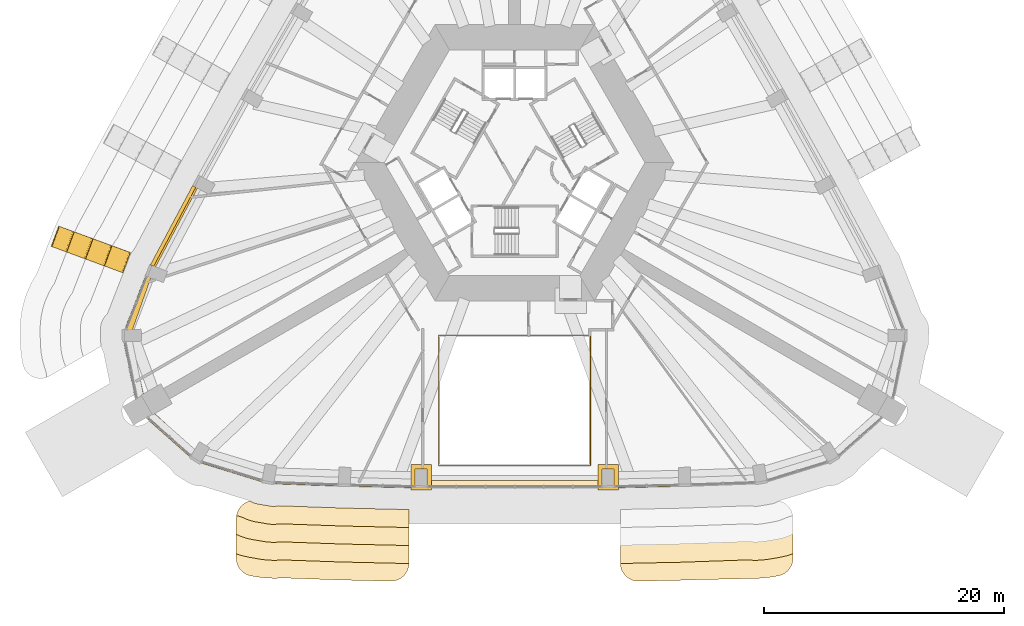
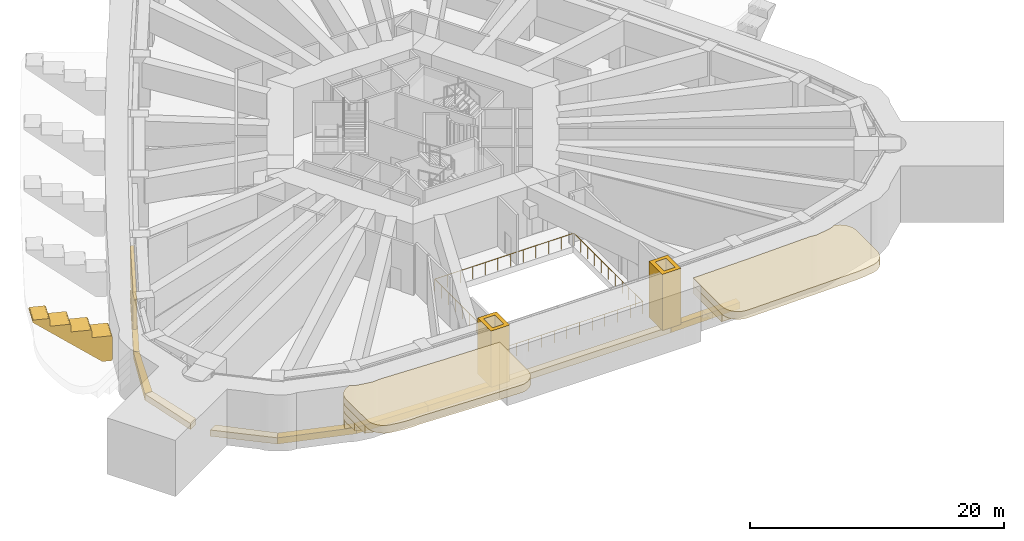
# One storey, part 15 of 21: 18 coverings, 1 railing, 1 shading device.
"""IFC4 building model written with IfcOpenShell, lengths in metres."""

from ifc_helpers import new_model, si_unit, direction, frame, origin, origin_2d, place, context, subcontext, project, spatial, polyline, rectangle, circle, outline, extrude, material, layer, layer_set, type_object, element, save


model = new_model("IFC4")

# Units and contexts
model_context = context("Model", 3, precision=1e-05, world=origin(), true_north=direction((0.0, 1.0)))
body_context = subcontext(model_context, "Body", "Model", "MODEL_VIEW")
ifc_project = project(units=[si_unit("LENGTHUNIT", "METRE"), si_unit("AREAUNIT", "SQUARE_METRE"), si_unit("VOLUMEUNIT", "CUBIC_METRE"), si_unit("PLANEANGLEUNIT", "RADIAN"), si_unit("MASSUNIT", "GRAM", prefix="KILO")], contexts=[model_context])

# Site, building, storey
site_placement = place(None, origin())
site = spatial("IfcSite", under=ifc_project, at=site_placement, CompositionType="ELEMENT")
building_placement = place(site_placement, origin())
building = spatial("IfcBuilding", under=site, at=building_placement, Name="Entoto Arch Interchange Tower", CompositionType="ELEMENT")
storey_placement = place(building_placement, frame((0.0, 0.0, 236.0)))
storey = spatial("IfcBuildingStorey", under=building, at=storey_placement, Name="L53", CompositionType="ELEMENT", Elevation=236.0)

# Railing
ifc_material_1 = material(Name="Stainless steel 1.4301", Category="steel")
railing_type = type_object("IfcRailingType", Name="ATRIUM GUARD 1200 STEEL AND GLASS", PredefinedType="GUARDRAIL", material=ifc_material_1)
railing_placement = place(storey_placement, frame((6.320068359375, -22.72607421875, 0.0)))
element("IfcRailing", 1, at=railing_placement, inside=storey, type_object=railing_type, Name="Atrium guard L53", PredefinedType="GUARDRAIL", context=body_context, shape_type="SweptSolid", body=[
    extrude(circle(Radius=0.02392578125, at=origin_2d()), frame((0.0, 0.0, 1.17578125), z_axis=(-1.0, 0.0, 0.0), x_axis=(0.0, -1.0, 0.0)), (0.0, 0.0, 1.0), 12.64013671875),
    extrude(circle(Radius=0.02392578125, at=origin_2d()), frame((-12.64013671875, 0.0, 1.17578125), z_axis=(0.0, 1.0, 0.0), x_axis=(-1.0, 0.0, 0.0)), (0.0, 0.0, 1.0), 10.84619140625),
    extrude(circle(Radius=0.02392578125, at=origin_2d()), frame((-12.64013671875, 10.84619140625, 1.17578125), z_axis=(1.0, 0.0, 0.0), x_axis=(0.0, 1.0, 0.0)), (0.0, 0.0, 1.0), 12.64013671875),
    extrude(circle(Radius=0.02392578125, at=origin_2d()), frame((0.0, 10.84619140625, 1.17578125), z_axis=(0.0, -1.0, 0.0), x_axis=(1.0, 0.0, 0.0)), (0.0, 0.0, 1.0), 10.84619140625),
    extrude(circle(Radius=0.02099609375, at=origin_2d()), origin(), (0.0, 0.0, 1.0), 1.15185546875),
    extrude(circle(Radius=0.02099609375, at=origin_2d()), frame((-1.149169921875, 0.0, 0.0)), (0.0, 0.0, 1.0), 1.15185546875),
    extrude(circle(Radius=0.02099609375, at=origin_2d()), frame((-2.298095703125, 0.0, 0.0)), (0.0, 0.0, 1.0), 1.15185546875),
    extrude(circle(Radius=0.02099609375, at=origin_2d()), frame((-3.447265625, 0.0, 0.0)), (0.0, 0.0, 1.0), 1.15185546875),
    extrude(circle(Radius=0.02099609375, at=origin_2d()), frame((-4.596435546875, 0.0, 0.0)), (0.0, 0.0, 1.0), 1.15185546875),
    extrude(circle(Radius=0.02099609375, at=origin_2d()), frame((-5.74560546875, 0.0, 0.0)), (0.0, 0.0, 1.0), 1.15185546875),
    extrude(circle(Radius=0.02099609375, at=origin_2d()), frame((-6.89453125, 0.0, 0.0)), (0.0, 0.0, 1.0), 1.15185546875),
    extrude(circle(Radius=0.02099609375, at=origin_2d()), frame((-8.043701171875, 0.0, 0.0)), (0.0, 0.0, 1.0), 1.15185546875),
    extrude(circle(Radius=0.02099609375, at=origin_2d()), frame((-9.19287109375, 0.0, 0.0)), (0.0, 0.0, 1.0), 1.15185546875),
    extrude(circle(Radius=0.02099609375, at=origin_2d()), frame((-10.342041015625, 0.0, 0.0)), (0.0, 0.0, 1.0), 1.15185546875),
    extrude(circle(Radius=0.02099609375, at=origin_2d()), frame((-11.490966796875, 0.0, 0.0)), (0.0, 0.0, 1.0), 1.15185546875),
    extrude(circle(Radius=0.02099609375, at=origin_2d()), frame((-12.64013671875, 0.0, 0.0)), (0.0, 0.0, 1.0), 1.15185546875),
    extrude(circle(Radius=0.02099609375, at=origin_2d()), frame((-12.64013671875, 1.084716796875, 0.0)), (0.0, 0.0, 1.0), 1.15185546875),
    extrude(circle(Radius=0.02099609375, at=origin_2d()), frame((-12.64013671875, 2.169189453125, 0.0)), (0.0, 0.0, 1.0), 1.15185546875),
    extrude(circle(Radius=0.02099609375, at=origin_2d()), frame((-12.64013671875, 3.25390625, 0.0)), (0.0, 0.0, 1.0), 1.15185546875),
    extrude(circle(Radius=0.02099609375, at=origin_2d()), frame((-12.64013671875, 4.33837890625, 0.0)), (0.0, 0.0, 1.0), 1.15185546875),
    extrude(circle(Radius=0.02099609375, at=origin_2d()), frame((-12.64013671875, 5.423095703125, 0.0)), (0.0, 0.0, 1.0), 1.15185546875),
    extrude(circle(Radius=0.02099609375, at=origin_2d()), frame((-12.64013671875, 6.5078125, 0.0)), (0.0, 0.0, 1.0), 1.15185546875),
    extrude(circle(Radius=0.02099609375, at=origin_2d()), frame((-12.64013671875, 7.59228515625, 0.0)), (0.0, 0.0, 1.0), 1.15185546875),
    extrude(circle(Radius=0.02099609375, at=origin_2d()), frame((-12.64013671875, 8.677001953125, 0.0)), (0.0, 0.0, 1.0), 1.15185546875),
    extrude(circle(Radius=0.02099609375, at=origin_2d()), frame((-12.64013671875, 9.761474609375, 0.0)), (0.0, 0.0, 1.0), 1.15185546875),
    extrude(circle(Radius=0.02099609375, at=origin_2d()), frame((-12.64013671875, 10.84619140625, 0.0)), (0.0, 0.0, 1.0), 1.15185546875),
    extrude(circle(Radius=0.02099609375, at=origin_2d()), frame((-11.490966796875, 10.84619140625, 0.0)), (0.0, 0.0, 1.0), 1.15185546875),
    extrude(circle(Radius=0.02099609375, at=origin_2d()), frame((-10.342041015625, 10.84619140625, 0.0)), (0.0, 0.0, 1.0), 1.15185546875),
    extrude(circle(Radius=0.02099609375, at=origin_2d()), frame((-9.19287109375, 10.84619140625, 0.0)), (0.0, 0.0, 1.0), 1.15185546875),
    extrude(circle(Radius=0.02099609375, at=origin_2d()), frame((-8.043701171875, 10.84619140625, 0.0)), (0.0, 0.0, 1.0), 1.15185546875),
    extrude(circle(Radius=0.02099609375, at=origin_2d()), frame((-6.89453125, 10.84619140625, 0.0)), (0.0, 0.0, 1.0), 1.15185546875),
    extrude(circle(Radius=0.02099609375, at=origin_2d()), frame((-5.74560546875, 10.84619140625, 0.0)), (0.0, 0.0, 1.0), 1.15185546875),
    extrude(circle(Radius=0.02099609375, at=origin_2d()), frame((-4.596435546875, 10.84619140625, 0.0)), (0.0, 0.0, 1.0), 1.15185546875),
    extrude(circle(Radius=0.02099609375, at=origin_2d()), frame((-3.447265625, 10.84619140625, 0.0)), (0.0, 0.0, 1.0), 1.15185546875),
    extrude(circle(Radius=0.02099609375, at=origin_2d()), frame((-2.298095703125, 10.84619140625, 0.0)), (0.0, 0.0, 1.0), 1.15185546875),
    extrude(circle(Radius=0.02099609375, at=origin_2d()), frame((-1.149169921875, 10.84619140625, 0.0)), (0.0, 0.0, 1.0), 1.15185546875),
    extrude(circle(Radius=0.02099609375, at=origin_2d()), frame((0.0, 10.84619140625, 0.0)), (0.0, 0.0, 1.0), 1.15185546875),
    extrude(circle(Radius=0.02099609375, at=origin_2d()), frame((0.0, 9.761474609375, 0.0)), (0.0, 0.0, 1.0), 1.15185546875),
    extrude(circle(Radius=0.02099609375, at=origin_2d()), frame((0.0, 8.677001953125, 0.0)), (0.0, 0.0, 1.0), 1.15185546875),
    extrude(circle(Radius=0.02099609375, at=origin_2d()), frame((0.0, 7.59228515625, 0.0)), (0.0, 0.0, 1.0), 1.15185546875),
    extrude(circle(Radius=0.02099609375, at=origin_2d()), frame((0.0, 6.5078125, 0.0)), (0.0, 0.0, 1.0), 1.15185546875),
    extrude(circle(Radius=0.02099609375, at=origin_2d()), frame((0.0, 5.423095703125, 0.0)), (0.0, 0.0, 1.0), 1.15185546875),
    extrude(circle(Radius=0.02099609375, at=origin_2d()), frame((0.0, 4.33837890625, 0.0)), (0.0, 0.0, 1.0), 1.15185546875),
    extrude(circle(Radius=0.02099609375, at=origin_2d()), frame((0.0, 3.25390625, 0.0)), (0.0, 0.0, 1.0), 1.15185546875),
    extrude(circle(Radius=0.02099609375, at=origin_2d()), frame((0.0, 2.169189453125, 0.0)), (0.0, 0.0, 1.0), 1.15185546875),
    extrude(circle(Radius=0.02099609375, at=origin_2d()), frame((0.0, 1.084716796875, 0.0)), (0.0, 0.0, 1.0), 1.15185546875),
])

# Shading device
ifc_material_2 = material(Name="Aluminium, anodised", Category="aluminium")
ifc_layer = layer(ifc_material_2, 0.300048828125)
ifc_layer_set = layer_set([ifc_layer], Name="Aluminium, anodised")
shading_device_type = type_object("IfcShadingDeviceType", Name="PLANT LOUVRE ALUMINIUM", PredefinedType="JALOUSIE", material=ifc_layer_set)
shading_device_placement = place(storey_placement, frame((-28.449951171875, -2.77197265625, 1.2001953125), z_axis=(0.0, 0.0, 1.0), x_axis=(-0.470519135201, -0.882389791084, 0.0)))
element("IfcShadingDevice", 2, at=shading_device_placement, inside=storey, type_object=shading_device_type, Name="Plant louvre NW-05 L53", PredefinedType="JALOUSIE", context=body_context, shape_type="SweptSolid", body=[
    extrude(rectangle(XDim=7.470947265625, YDim=0.300048828125, at=origin_2d()), origin(), (0.0, 0.0, 1.0), 2.800048828125),
])

# Coverings
ifc_material_3 = material(Name="Board-marked precast concrete C50/60", Category="concrete")
covering_type_1 = type_object("IfcCoveringType", Name="PRECAST FRAME COURSE", PredefinedType="CLADDING", material=ifc_material_3)
covering_1_placement = place(storey_placement, frame((0.0, 0.0, 4.050048828125)))
element("IfcCovering", 3, at=covering_1_placement, inside=storey, type_object=covering_type_1, Name="Cantilever cornice L53 1", PredefinedType="CLADDING", context=body_context, shape_type="SweptSolid", body=[
    extrude(outline(polyline([(-8.830078125, -31.152099609375), (-8.865966796875, -31.297119140625), (-8.91796875, -31.43701171875), (-8.98193359375, -31.572021484375), (-9.06005859375, -31.698974609375), (-9.14990234375, -31.818115234375), (-9.251953125, -31.927978515625), (-9.364013671875, -32.027099609375), (-9.485107421875, -32.114013671875), (-9.614013671875, -32.18896484375), (-9.75, -32.25), (-9.89208984375, -32.298095703125), (-10.037109375, -32.33203125), (-10.18505859375, -32.35107421875), (-10.3349609375, -32.35498046875), (-11.218994140625, -32.333984375), (-13.7939453125, -32.27490234375), (-13.80810546875, -32.27392578125), (-13.822998046875, -32.27490234375), (-13.9140625, -32.27587890625), (-13.988037109375, -32.27490234375), (-14.948974609375, -32.242919921875), (-14.950927734375, -32.241943359375), (-19.35595703125, -32.0869140625), (-19.35595703125, -32.0869140625), (-19.39697265625, -32.0849609375), (-19.43896484375, -32.087890625), (-19.799072265625, -32.115966796875), (-19.946044921875, -32.118896484375), (-20.305908203125, -32.111083984375), (-20.56396484375, -32.10498046875), (-20.7109375, -32.094970703125), (-21.2529296875, -32.029052734375), (-21.361083984375, -32.014892578125), (-21.43408203125, -32.0048828125), (-21.946044921875, -31.9169921875), (-22.092041015625, -31.884033203125), (-22.23388671875, -31.8369140625), (-22.37109375, -31.77587890625), (-22.5009765625, -31.700927734375), (-22.623046875, -31.614013671875), (-22.736083984375, -31.514892578125), (-22.837890625, -31.405029296875), (-22.928955078125, -31.285888671875), (-23.008056640625, -31.157958984375), (-23.072998046875, -31.02294921875), (-23.1240234375, -30.882080078125), (-23.160888671875, -30.737060546875), (-23.18408203125, -30.587890625), (-23.19091796875, -30.43798828125), (-23.19091796875, -27.133056640625), (-23.18505859375, -26.990966796875), (-23.1640625, -26.85009765625), (-23.131103515625, -26.7109375), (-23.083984375, -26.576904296875), (-23.02490234375, -26.447021484375), (-22.9541015625, -26.323974609375), (-22.8720703125, -26.20703125), (-22.779052734375, -26.10009765625), (-22.676025390625, -26.0009765625), (-22.56396484375, -25.9130859375), (-22.444091796875, -25.8359375), (-22.318115234375, -25.77001953125), (-22.18603515625, -25.717041015625), (-22.049072265625, -25.676025390625), (-22.033935546875, -25.672119140625), (-22.06298828125, -25.662109375), (-22.028076171875, -25.673095703125), (-22.02197265625, -25.677001953125), (-21.868896484375, -25.762939453125), (-21.70703125, -25.8349609375), (-21.5390625, -25.889892578125), (-21.366943359375, -25.927978515625), (-20.381103515625, -26.097900390625), (-20.2060546875, -26.118896484375), (-20.029052734375, -26.123046875), (-19.85302734375, -26.110107421875), (-19.678955078125, -26.0791015625), (-19.654052734375, -26.072021484375), (-14.748046875, -26.24609375), (-14.74609375, -26.24609375), (-13.7470703125, -26.280029296875), (-13.594970703125, -26.278076171875), (-8.800048828125, -26.387939453125), (-8.800048828125, -26.426025390625), (-8.800048828125, -30.85498046875), (-8.806884765625, -31.00390625), (-8.830078125, -31.152099609375)])), origin(), (0.0, 0.0, 1.0), 0.75),
])
covering_2_placement = place(storey_placement, frame((0.0, 0.0, 4.050048828125)))
element("IfcCovering", 4, at=covering_2_placement, inside=storey, type_object=covering_type_1, Name="Cantilever cornice L53 1", PredefinedType="CLADDING", context=body_context, shape_type="SweptSolid", body=[
    extrude(outline(polyline([(22.318115234375, -25.77001953125), (22.444091796875, -25.8359375), (22.56396484375, -25.9130859375), (22.676025390625, -26.0009765625), (22.779052734375, -26.10009765625), (22.8720703125, -26.20703125), (22.9541015625, -26.323974609375), (23.02490234375, -26.447021484375), (23.083984375, -26.576904296875), (23.131103515625, -26.7109375), (23.1640625, -26.85009765625), (23.18505859375, -26.990966796875), (23.19091796875, -27.133056640625), (23.19091796875, -30.43798828125), (23.18408203125, -30.587890625), (23.160888671875, -30.737060546875), (23.1240234375, -30.882080078125), (23.072998046875, -31.02294921875), (23.008056640625, -31.157958984375), (22.928955078125, -31.285888671875), (22.837890625, -31.405029296875), (22.736083984375, -31.514892578125), (22.623046875, -31.614013671875), (22.5009765625, -31.700927734375), (22.37109375, -31.77587890625), (22.23388671875, -31.8369140625), (22.092041015625, -31.884033203125), (21.946044921875, -31.9169921875), (21.595947265625, -31.97705078125), (21.425048828125, -32.006103515625), (21.3701171875, -32.014892578125), (20.883056640625, -32.080078125), (20.77294921875, -32.091064453125), (20.716064453125, -32.093994140625), (20.281005859375, -32.1201171875), (20.22607421875, -32.1220703125), (18.39111328125, -32.1640625), (14.9560546875, -32.241943359375), (14.951904296875, -32.241943359375), (14.950927734375, -32.241943359375), (14.947998046875, -32.241943359375), (13.9560546875, -32.27587890625), (13.946044921875, -32.277099609375), (13.85498046875, -32.279052734375), (13.844970703125, -32.279052734375), (10.33203125, -32.35400390625), (10.18310546875, -32.34912109375), (10.034912109375, -32.330078125), (9.888916015625, -32.297119140625), (9.748046875, -32.2490234375), (9.612060546875, -32.18701171875), (9.48291015625, -32.112060546875), (9.362060546875, -32.02490234375), (9.2509765625, -31.926025390625), (9.14892578125, -31.81591796875), (9.05908203125, -31.697021484375), (8.98193359375, -31.570068359375), (8.9169921875, -31.43505859375), (8.865966796875, -31.294921875), (8.830078125, -31.15087890625), (8.806884765625, -31.0029296875), (8.800048828125, -30.85400390625), (8.800048828125, -26.422119140625), (8.800048828125, -26.385009765625), (13.722900390625, -26.281005859375), (13.7470703125, -26.280029296875), (14.74609375, -26.24609375), (14.758056640625, -26.2451171875), (19.654052734375, -26.072021484375), (19.678955078125, -26.0791015625), (19.85302734375, -26.110107421875), (20.029052734375, -26.123046875), (20.2060546875, -26.118896484375), (20.381103515625, -26.097900390625), (21.366943359375, -25.927978515625), (21.5390625, -25.889892578125), (21.70703125, -25.8349609375), (21.868896484375, -25.762939453125), (22.02197265625, -25.677001953125), (22.028076171875, -25.673095703125), (22.06298828125, -25.662109375), (22.033935546875, -25.672119140625), (22.049072265625, -25.676025390625), (22.18603515625, -25.717041015625), (22.318115234375, -25.77001953125)])), origin(), (0.0, 0.0, 1.0), 0.75),
])
covering_3_placement = place(storey_placement, frame((0.0, 0.0, 3.300048828125)))
element("IfcCovering", 5, at=covering_3_placement, inside=storey, type_object=covering_type_1, Name="Cantilever cornice L53 2", PredefinedType="CLADDING", context=body_context, shape_type="SweptSolid", body=[
    extrude(outline(polyline([(-13.7548828125, -30.77490234375), (-13.89990234375, -30.777099609375), (-14.89892578125, -30.742919921875), (-14.906982421875, -30.742919921875), (-19.410888671875, -30.583984375), (-19.912109375, -30.6220703125), (-20.530029296875, -30.60693359375), (-21.14404296875, -30.532958984375), (-22.12890625, -30.363037109375), (-22.73291015625, -30.22900390625), (-23.19091796875, -30.077880859375), (-23.19091796875, -27.133056640625), (-23.18505859375, -26.990966796875), (-23.1640625, -26.85009765625), (-23.131103515625, -26.7109375), (-23.083984375, -26.576904296875), (-23.02490234375, -26.447021484375), (-22.9541015625, -26.323974609375), (-22.8720703125, -26.20703125), (-22.779052734375, -26.10009765625), (-22.676025390625, -26.0009765625), (-22.56396484375, -25.9130859375), (-22.444091796875, -25.8359375), (-22.318115234375, -25.77001953125), (-22.18603515625, -25.717041015625), (-22.049072265625, -25.676025390625), (-22.033935546875, -25.672119140625), (-22.06298828125, -25.662109375), (-22.028076171875, -25.673095703125), (-22.02197265625, -25.677001953125), (-21.868896484375, -25.762939453125), (-21.70703125, -25.8349609375), (-21.5390625, -25.889892578125), (-21.366943359375, -25.927978515625), (-20.381103515625, -26.097900390625), (-20.2060546875, -26.118896484375), (-20.029052734375, -26.123046875), (-19.85302734375, -26.110107421875), (-19.678955078125, -26.0791015625), (-19.654052734375, -26.072021484375), (-14.748046875, -26.24609375), (-14.74609375, -26.24609375), (-13.7470703125, -26.280029296875), (-13.594970703125, -26.278076171875), (-8.800048828125, -26.387939453125), (-8.800048828125, -26.426025390625), (-8.800048828125, -30.85498046875), (-8.802001953125, -30.889892578125), (-13.7548828125, -30.77490234375)])), origin(), (0.0, 0.0, 1.0), 0.75),
])
covering_4_placement = place(storey_placement, frame((0.0, 0.0, 3.300048828125)))
element("IfcCovering", 6, at=covering_4_placement, inside=storey, type_object=covering_type_1, Name="Cantilever cornice L53 2", PredefinedType="CLADDING", context=body_context, shape_type="SweptSolid", body=[
    extrude(outline(polyline([(22.318115234375, -25.77001953125), (22.444091796875, -25.8359375), (22.56396484375, -25.9130859375), (22.676025390625, -26.0009765625), (22.779052734375, -26.10009765625), (22.8720703125, -26.20703125), (22.9541015625, -26.323974609375), (23.02490234375, -26.447021484375), (23.083984375, -26.576904296875), (23.131103515625, -26.7109375), (23.1640625, -26.85009765625), (23.18505859375, -26.990966796875), (23.19091796875, -27.133056640625), (23.19091796875, -30.077880859375), (22.73291015625, -30.22900390625), (22.12890625, -30.363037109375), (21.14404296875, -30.532958984375), (20.530029296875, -30.60693359375), (19.912109375, -30.6220703125), (19.409912109375, -30.583984375), (14.910888671875, -30.741943359375), (14.89892578125, -30.742919921875), (13.89990234375, -30.777099609375), (13.818115234375, -30.780029296875), (8.802001953125, -30.885986328125), (8.800048828125, -30.85400390625), (8.800048828125, -26.422119140625), (8.800048828125, -26.385009765625), (13.722900390625, -26.281005859375), (13.7470703125, -26.280029296875), (14.74609375, -26.24609375), (14.758056640625, -26.2451171875), (19.654052734375, -26.072021484375), (19.678955078125, -26.0791015625), (19.85302734375, -26.110107421875), (20.029052734375, -26.123046875), (20.2060546875, -26.118896484375), (20.381103515625, -26.097900390625), (21.366943359375, -25.927978515625), (21.5390625, -25.889892578125), (21.70703125, -25.8349609375), (21.868896484375, -25.762939453125), (22.02197265625, -25.677001953125), (22.028076171875, -25.673095703125), (22.06298828125, -25.662109375), (22.033935546875, -25.672119140625), (22.049072265625, -25.676025390625), (22.18603515625, -25.717041015625), (22.318115234375, -25.77001953125)])), origin(), (0.0, 0.0, 1.0), 0.75),
])
covering_5_placement = place(storey_placement, frame((0.0, 0.0, 2.550048828125)))
element("IfcCovering", 7, at=covering_5_placement, inside=storey, type_object=covering_type_1, Name="Cantilever cornice L53 3", PredefinedType="CLADDING", context=body_context, shape_type="SweptSolid", body=[
    extrude(outline(polyline([(-23.18505859375, -26.990966796875), (-23.1640625, -26.85009765625), (-23.131103515625, -26.7109375), (-23.083984375, -26.576904296875), (-23.02490234375, -26.447021484375), (-22.9541015625, -26.323974609375), (-22.8720703125, -26.20703125), (-22.779052734375, -26.10009765625), (-22.676025390625, -26.0009765625), (-22.56396484375, -25.9130859375), (-22.444091796875, -25.8359375), (-22.318115234375, -25.77001953125), (-22.18603515625, -25.717041015625), (-22.049072265625, -25.676025390625), (-22.033935546875, -25.672119140625), (-22.06298828125, -25.662109375), (-22.028076171875, -25.673095703125), (-22.02197265625, -25.677001953125), (-21.868896484375, -25.762939453125), (-21.70703125, -25.8349609375), (-21.5390625, -25.889892578125), (-21.366943359375, -25.927978515625), (-20.381103515625, -26.097900390625), (-20.2060546875, -26.118896484375), (-20.029052734375, -26.123046875), (-19.85302734375, -26.110107421875), (-19.678955078125, -26.0791015625), (-19.654052734375, -26.072021484375), (-14.748046875, -26.24609375), (-14.74609375, -26.24609375), (-13.7470703125, -26.280029296875), (-13.594970703125, -26.278076171875), (-8.800048828125, -26.387939453125), (-8.800048828125, -26.426025390625), (-8.800048828125, -29.388916015625), (-13.700927734375, -29.27587890625), (-13.84912109375, -29.278076171875), (-14.847900390625, -29.243896484375), (-14.85400390625, -29.243896484375), (-19.450927734375, -29.0810546875), (-19.48095703125, -29.0869140625), (-19.950927734375, -29.1220703125), (-20.422119140625, -29.111083984375), (-20.888916015625, -29.053955078125), (-21.875, -28.885009765625), (-22.3349609375, -28.781982421875), (-22.781982421875, -28.635009765625), (-23.19091796875, -28.455078125), (-23.19091796875, -27.133056640625), (-23.18505859375, -26.990966796875)])), origin(), (0.0, 0.0, 1.0), 0.75),
])
covering_6_placement = place(storey_placement, frame((0.0, 0.0, 1.800048828125)))
element("IfcCovering", 8, at=covering_6_placement, inside=storey, type_object=covering_type_1, Name="Cantilever cornice L53 4", PredefinedType="CLADDING", context=body_context, shape_type="SweptSolid", body=[
    extrude(outline(polyline([(-23.131103515625, -26.7109375), (-23.083984375, -26.576904296875), (-23.02490234375, -26.447021484375), (-22.9541015625, -26.323974609375), (-22.8720703125, -26.20703125), (-22.779052734375, -26.10009765625), (-22.676025390625, -26.0009765625), (-22.56396484375, -25.9130859375), (-22.444091796875, -25.8359375), (-22.318115234375, -25.77001953125), (-22.18603515625, -25.717041015625), (-22.049072265625, -25.676025390625), (-22.033935546875, -25.672119140625), (-22.06298828125, -25.662109375), (-22.028076171875, -25.673095703125), (-22.02197265625, -25.677001953125), (-21.868896484375, -25.762939453125), (-21.70703125, -25.8349609375), (-21.5390625, -25.889892578125), (-21.366943359375, -25.927978515625), (-20.381103515625, -26.097900390625), (-20.2060546875, -26.118896484375), (-20.029052734375, -26.123046875), (-19.85302734375, -26.110107421875), (-19.678955078125, -26.0791015625), (-19.654052734375, -26.072021484375), (-14.748046875, -26.24609375), (-14.74609375, -26.24609375), (-13.7470703125, -26.280029296875), (-13.594970703125, -26.278076171875), (-8.800048828125, -26.387939453125), (-8.800048828125, -26.426025390625), (-8.800048828125, -27.888916015625), (-13.64794921875, -27.777099609375), (-13.798095703125, -27.779052734375), (-14.797119140625, -27.7451171875), (-14.801025390625, -27.7451171875), (-19.547119140625, -27.576904296875), (-19.6669921875, -27.597900390625), (-19.989990234375, -27.623046875), (-20.31396484375, -27.614990234375), (-20.635009765625, -27.575927734375), (-21.62109375, -27.406982421875), (-21.93701171875, -27.3359375), (-22.2451171875, -27.235107421875), (-22.541015625, -27.10400390625), (-22.618896484375, -27.06005859375), (-23.169921875, -26.889892578125), (-23.1640625, -26.85009765625), (-23.131103515625, -26.7109375)])), origin(), (0.0, 0.0, 1.0), 0.75),
])
covering_7_placement = place(storey_placement, frame((-32.7900390625, -4.68505859375, -0.56689453125), z_axis=(0.346991740598, 0.937863803179, 0.002866817717), x_axis=(0.773039181962, -0.284276299726, -0.567095590324)))
element("IfcCovering", 9, at=covering_7_placement, inside=storey, type_object=covering_type_1, Name="Fold rib NW06 L53", PredefinedType="CLADDING", context=body_context, shape_type="SweptSolid", body=[
    extrude(outline(polyline([(0.0, 0.0), (0.028413806940664588, 0.0), (0.05658184505024488, -0.006053987502341714), (0.09529789636443646, -0.025301438322215482), (0.6093963545686709, -0.3804538412674395), (0.6389052317468452, -0.41292436533886845), (0.6564191882471573, -0.45314222239913693), (0.6622778136184104, -0.49719033804918256), (0.6559156501719793, -0.5402373369590107), (0.6362679411115545, -0.5800626530728418), (-0.5543244852413342, -2.3097780582777885), (-0.5735312698636486, -2.331827485249853), (-0.5963947558515681, -2.3501719911932817), (-0.6223724582919854, -2.36370869440343), (-0.6658402074412688, -2.3740901208869376), (-0.7097101467914944, -2.3717478103706715), (-0.7376072873155207, -2.362324667154739), (-0.7633409127474962, -2.3481604156511438), (-1.9943041185204158, -1.5006223145332327), (-2.343539676029139, -2.0068329057938152), (-2.376867693485865, -2.034872788679389), (-2.4030036826246874, -2.048296229003014), (-2.4454388971238847, -2.0593905823489917), (-2.4900637575502453, -2.0565296747050157), (-2.5174835905720876, -2.047430798882033), (-2.543694523506247, -2.0329422799854884), (-3.7997624764989495, -1.1681139721951033), (-4.148651017040235, -1.6745674756241364), (-4.1813824001192295, -1.7030126927508964), (-4.207360102559647, -1.716549395961045), (-4.236302962436626, -1.724779248562392), (-4.279858128653874, -1.7262111396246422), (-4.322594931583183, -1.7151653687123545), (-4.348328557015158, -1.7010011172087587), (-5.60411889643391, -0.8363671391531344), (-5.953831761444818, -1.3422534630207679), (-5.986493741130325, -1.3707472625812183), (-6.012629730269149, -1.3841707029048433), (-6.040659382371587, -1.3930324155204232), (-6.085038873058458, -1.393897127021273), (-6.127298368485582, -1.3831756235019346), (-6.153509301419742, -1.3686871046053901), (-7.0553698966362095, -0.7477393755629751), (-7.087295107752798, -0.7171632826702452), (-7.103071952788779, -0.6929630004361513), (-7.114381203966328, -0.6659078478953906), (-7.119201333505812, -0.635617500643753), (-7.118880759712128, -0.6067879357682573), (-7.111807281774819, -0.5775701416671106), (-7.100812942562985, -0.5501635560360318), (-7.083582343935925, -0.5267529557918604), (-7.062518700193903, -0.5059836352436662), (-7.03699351052808, -0.4894703172663646), (-7.009422753161754, -0.4794056835982352), (-6.980650588191094, -0.47490820609915385), (0.0, 0.0)])), origin(), (0.0, 0.0, -1.0), 1.800048828125),
])
covering_8_placement = place(storey_placement, frame((0.0, 0.0, -0.60009765625)))
element("IfcCovering", 10, at=covering_8_placement, inside=storey, type_object=covering_type_1, Name="Gate pier L53", PredefinedType="CLADDING", context=body_context, shape_type="SweptSolid", body=[
    extrude(outline(polyline([(-8.637939453125, -22.656005859375), (-6.93798828125, -22.656005859375), (-6.93798828125, -24.756103515625), (-8.637939453125, -24.756103515625), (-8.637939453125, -22.656005859375)]), holes=[polyline([(-8.2880859375, -23.006103515625), (-8.2880859375, -24.406005859375), (-7.2880859375, -24.406005859375), (-7.2880859375, -23.006103515625), (-8.2880859375, -23.006103515625)])]), origin(), (0.0, 0.0, 1.0), 5.400146484375),
])
covering_9_placement = place(storey_placement, frame((0.0, 0.0, -0.60009765625)))
element("IfcCovering", 11, at=covering_9_placement, inside=storey, type_object=covering_type_1, Name="Gate pier L53", PredefinedType="CLADDING", context=body_context, shape_type="SweptSolid", body=[
    extrude(outline(polyline([(6.93798828125, -22.656005859375), (8.637939453125, -22.656005859375), (8.637939453125, -24.756103515625), (6.93798828125, -24.756103515625), (6.93798828125, -22.656005859375)]), holes=[polyline([(7.2880859375, -23.006103515625), (7.2880859375, -24.406005859375), (8.2880859375, -24.406005859375), (8.2880859375, -23.006103515625), (7.2880859375, -23.006103515625)])]), origin(), (0.0, 0.0, 1.0), 5.400146484375),
])
covering_type_2 = type_object("IfcCoveringType", Name="PRECAST LEDGE COURSE", PredefinedType="CLADDING", material=ifc_material_3)
covering_10_placement = place(storey_placement, frame((0.0, 0.0, -1.199951171875)))
element("IfcCovering", 12, at=covering_10_placement, inside=storey, type_object=covering_type_2, Name="Precast course S-01 L53", PredefinedType="CLADDING", context=body_context, shape_type="SweptSolid", body=[
    extrude(outline(polyline([(-14.18505859375, -23.830078125), (-14.18505859375, -24.464111328125), (-20.569091796875, -24.239013671875), (-20.569091796875, -23.594970703125), (-14.18505859375, -23.830078125)])), origin(), (0.0, 0.0, 1.0), 0.599853515625),
])
covering_11_placement = place(storey_placement, frame((0.0, 0.0, -1.199951171875)))
element("IfcCovering", 13, at=covering_11_placement, inside=storey, type_object=covering_type_2, Name="Precast course S-02 L53", PredefinedType="CLADDING", context=body_context, shape_type="SweptSolid", body=[
    extrude(outline(polyline([(-7.800048828125, -23.97802734375), (-7.800048828125, -24.60595703125), (-14.18505859375, -24.464111328125), (-14.18505859375, -23.830078125), (-7.800048828125, -23.97802734375)])), origin(), (0.0, 0.0, 1.0), 0.599853515625),
])
covering_12_placement = place(storey_placement, frame((0.0, 0.0, -1.199951171875)))
element("IfcCovering", 14, at=covering_12_placement, inside=storey, type_object=covering_type_2, Name="Precast course S-03 L53", PredefinedType="CLADDING", context=body_context, shape_type="SweptSolid", body=[
    extrude(outline(polyline([(7.800048828125, -23.97802734375), (7.800048828125, -24.60595703125), (-7.800048828125, -24.60595703125), (-7.800048828125, -23.97802734375), (7.800048828125, -23.97802734375)])), origin(), (0.0, 0.0, 1.0), 0.599853515625),
])
covering_13_placement = place(storey_placement, frame((0.0, 0.0, -1.199951171875)))
element("IfcCovering", 15, at=covering_13_placement, inside=storey, type_object=covering_type_2, Name="Precast course S-04 L53", PredefinedType="CLADDING", context=body_context, shape_type="SweptSolid", body=[
    extrude(outline(polyline([(14.18505859375, -23.830078125), (14.18505859375, -24.464111328125), (7.800048828125, -24.60595703125), (7.800048828125, -23.97802734375), (14.18505859375, -23.830078125)])), origin(), (0.0, 0.0, 1.0), 0.599853515625),
])
covering_14_placement = place(storey_placement, frame((0.0, 0.0, -1.199951171875)))
element("IfcCovering", 16, at=covering_14_placement, inside=storey, type_object=covering_type_2, Name="Precast course NW-05 L53", PredefinedType="CLADDING", context=body_context, shape_type="SweptSolid", body=[
    extrude(outline(polyline([(-30.14306640625, -6.6240234375), (-30.5859375, -6.4599609375), (-26.589111328125, 1.034912109375), (-26.18701171875, 0.818115234375), (-30.14306640625, -6.6240234375)])), origin(), (0.0, 0.0, 1.0), 0.599853515625),
])
covering_15_placement = place(storey_placement, frame((0.0, 0.0, -1.199951171875)))
element("IfcCovering", 17, at=covering_15_placement, inside=storey, type_object=covering_type_2, Name="Precast course SW-01 L53", PredefinedType="CLADDING", context=body_context, shape_type="SweptSolid", body=[
    extrude(outline(polyline([(-32.00390625, -11.889892578125), (-32.695068359375, -11.906982421875), (-30.5859375, -6.4599609375), (-30.14306640625, -6.6240234375), (-32.00390625, -11.889892578125)])), origin(), (0.0, 0.0, 1.0), 0.599853515625),
])
covering_16_placement = place(storey_placement, frame((0.0, 0.0, -1.199951171875)))
element("IfcCovering", 18, at=covering_16_placement, inside=storey, type_object=covering_type_2, Name="Precast course SW-02 L53", PredefinedType="CLADDING", context=body_context, shape_type="SweptSolid", body=[
    extrude(outline(polyline([(-30.905029296875, -16.803955078125), (-31.612060546875, -17.2119140625), (-32.695068359375, -11.906982421875), (-32.00390625, -11.889892578125), (-30.905029296875, -16.803955078125)])), origin(), (0.0, 0.0, 1.0), 0.599853515625),
])
covering_17_placement = place(storey_placement, frame((0.0, 0.0, -1.199951171875)))
element("IfcCovering", 19, at=covering_17_placement, inside=storey, type_object=covering_type_2, Name="Precast course SW-03 L53", PredefinedType="CLADDING", context=body_context, shape_type="SweptSolid", body=[
    extrude(outline(polyline([(-26.299072265625, -21.77099609375), (-26.658935546875, -22.361083984375), (-30.7119140625, -18.77001953125), (-30.0048828125, -18.362060546875), (-26.299072265625, -21.77099609375)])), origin(), (0.0, 0.0, 1.0), 0.599853515625),
])
covering_18_placement = place(storey_placement, frame((0.0, 0.0, -1.199951171875)))
element("IfcCovering", 20, at=covering_18_placement, inside=storey, type_object=covering_type_2, Name="Precast course SW-04 L53", PredefinedType="CLADDING", context=body_context, shape_type="SweptSolid", body=[
    extrude(outline(polyline([(-20.569091796875, -23.594970703125), (-20.569091796875, -24.239013671875), (-26.658935546875, -22.361083984375), (-26.299072265625, -21.77099609375), (-20.569091796875, -23.594970703125)])), origin(), (0.0, 0.0, 1.0), 0.599853515625),
])

save(model, "model.ifc")
